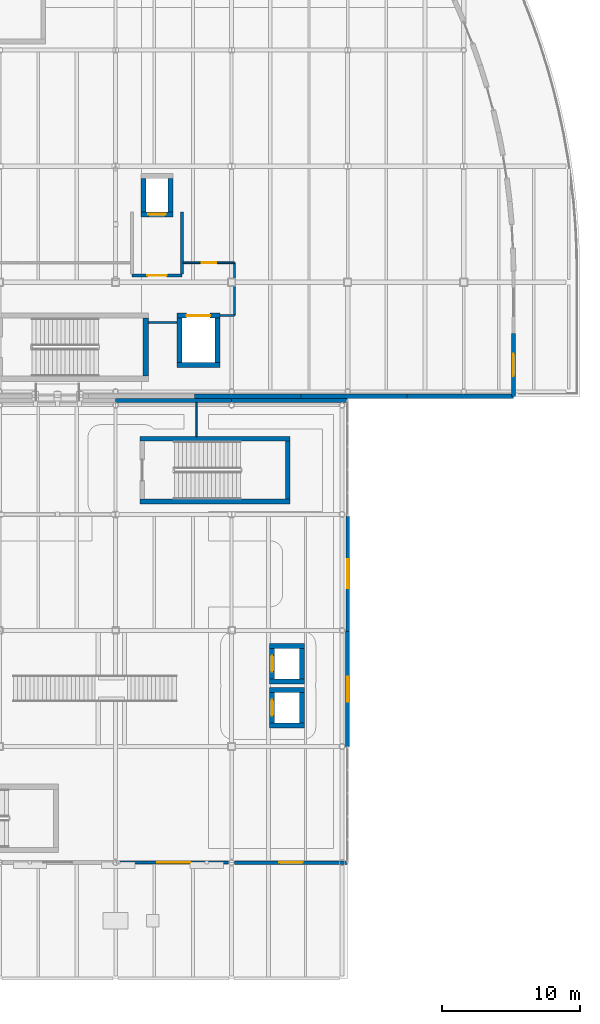
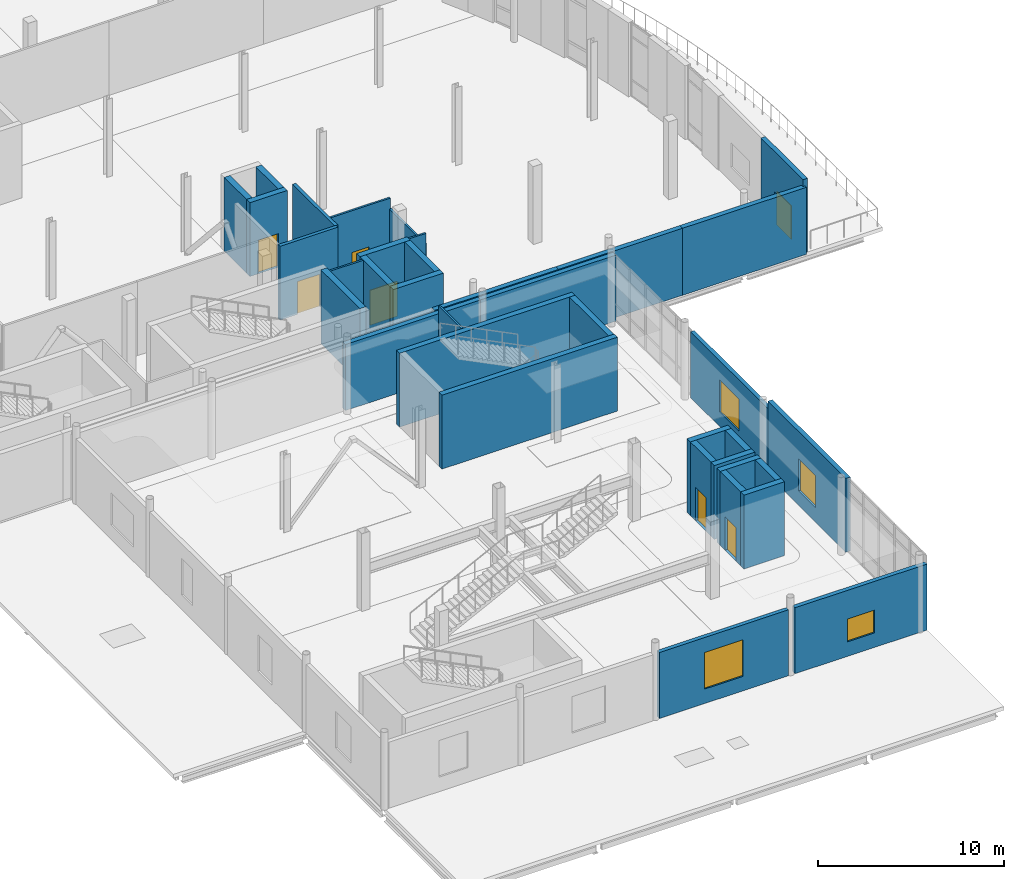
# One storey, part 69 of 103: 36 walls, 7 doors, 4 windows, 11 openings.
"""IFC4 building model written with IfcOpenShell, lengths in metres."""

from ifc_helpers import new_model, si_unit, direction, frame, frame_2d, origin, place, context, subcontext, project, spatial, rectangle, extrude, material, layer, layer_set, type_object, element, fill, save


model = new_model("IFC4")

# Units and contexts
model_context = context("Model", 3, precision=1e-05, world=origin(), true_north=direction((0.0, 1.0)))
body_context = subcontext(model_context, "Body", "Model", "MODEL_VIEW")
ifc_project = project(units=[si_unit("LENGTHUNIT", "METRE"), si_unit("AREAUNIT", "SQUARE_METRE"), si_unit("VOLUMEUNIT", "CUBIC_METRE"), si_unit("PLANEANGLEUNIT", "RADIAN"), si_unit("MASSUNIT", "GRAM", prefix="KILO"), si_unit("THERMODYNAMICTEMPERATUREUNIT", "KELVIN")], contexts=[model_context])

# Site, building, storey
site_placement = place(None, origin())
site = spatial("IfcSite", under=ifc_project, at=site_placement, CompositionType="ELEMENT")
building_placement = place(site_placement, origin())
building = spatial("IfcBuilding", under=site, at=building_placement, Name="Lustrewick Department Store", CompositionType="ELEMENT")
storey_placement = place(building_placement, frame((0.0, 0.0, 16.5)))
storey = spatial("IfcBuildingStorey", under=building, at=storey_placement, Name="L04", CompositionType="ELEMENT", Elevation=16.5)

# Wall, opening, window
ifc_material_1 = material(Name="Precast concrete C40", Category="concrete")
ifc_layer_1 = layer(ifc_material_1, 0.239990234375, Name="Precast concrete C40")
ifc_layer_set_1 = layer_set([ifc_layer_1], Name="Precast concrete C40")
wall_type_1 = type_object("IfcWallType", Name="EW01", PredefinedType="STANDARD", material=ifc_layer_set_1)
wall_1_placement = place(storey_placement, frame((151.199951171875, 33.52490234375, 0.0), z_axis=(0.0, 0.0, 1.0), x_axis=(0.0, 1.0, 0.0)))
wall_1 = element("IfcWall", 1, at=wall_1_placement, inside=storey, type_object=wall_type_1, Name="L04 V3 Exterior Wall EW01", PredefinedType="STANDARD", context=body_context, shape_type="SweptSolid", body=[
    extrude(rectangle(XDim=8.362548828125, YDim=0.239990234375, at=frame_2d((4.18115234375, 0.0))), origin(), (0.0, 0.0, 1.0), 4.320068359375),
])
opening_1_placement = place(wall_1_placement, frame((3.13134765625, 0.0, 0.949951171875)))
opening_1 = element("IfcOpeningElement", 2, at=opening_1_placement, cuts=wall_1, Name="Opening WN11", PredefinedType="OPENING", context=body_context, shape_type="SweptSolid", body=[
    extrude(rectangle(XDim=2.10009765625, YDim=2.10009765625, at=frame_2d((1.050048828125, 1.050048828125))), frame((0.0, 0.1298828125, 0.0), z_axis=(0.0, -1.0, 0.0), x_axis=(1.0, 0.0, 0.0)), (0.0, 0.0, 1.0), 0.260009765625),
])
ifc_material_2 = material(Name="Thermally broken Low-E triple-glazed window", Category="glass")
window_type_1 = type_object("IfcWindowType", Name="WN11", PartitioningType="DOUBLE_PANEL_VERTICAL", PredefinedType="WINDOW", material=ifc_material_2)
window_1_placement = place(opening_1_placement, origin())
window_1 = element("IfcWindow", 3, at=window_1_placement, inside=storey, type_object=window_type_1, Name="L04 Art Nouveau Window WN11", OverallHeight=2.10009765625, OverallWidth=2.10009765625, PartitioningType="SINGLE_PANEL", PredefinedType="WINDOW", context=body_context, shape_type="SweptSolid", body=[
    extrude(rectangle(XDim=2.10009765625, YDim=2.10009765625, at=frame_2d((1.050048828125, 1.050048828125))), frame((0.0, 0.030029296875, 0.0), z_axis=(0.0, -1.0, 0.0), x_axis=(1.0, 0.0, 0.0)), (0.0, 0.0, 1.0), 0.06005859375),
])
fill(opening_1, window_1)

wall_2_placement = place(storey_placement, frame((134.597900390625, 16.800048828125, 0.0), z_axis=(0.0, 0.0, 1.0), x_axis=(1.0, 0.0, 0.0)))
wall_2 = element("IfcWall", 4, at=wall_2_placement, inside=storey, type_object=wall_type_1, Name="L04 V3 Exterior Wall EW01", PredefinedType="STANDARD", context=body_context, shape_type="SweptSolid", body=[
    extrude(rectangle(XDim=8.004150390625, YDim=0.239990234375, at=frame_2d((4.001953125, 0.0))), origin(), (0.0, 0.0, 1.0), 4.3310546875),
])
opening_2_placement = place(wall_2_placement, frame((2.802001953125, 0.0, 0.949951171875)))
opening_2 = element("IfcOpeningElement", 5, at=opening_2_placement, cuts=wall_2, Name="Opening WN18", PredefinedType="OPENING", context=body_context, shape_type="SweptSolid", body=[
    extrude(rectangle(XDim=2.39990234375, YDim=2.39990234375, at=frame_2d((1.199951171875, 1.199951171875))), frame((0.0, 0.1298828125, 0.0), z_axis=(0.0, -1.0, 0.0), x_axis=(1.0, 0.0, 0.0)), (0.0, 0.0, 1.0), 0.260009765625),
])
window_type_2 = type_object("IfcWindowType", Name="WN18", PartitioningType="DOUBLE_PANEL_VERTICAL", PredefinedType="WINDOW", material=ifc_material_2)
window_2_placement = place(opening_2_placement, origin())
window_2 = element("IfcWindow", 6, at=window_2_placement, inside=storey, type_object=window_type_2, Name="L04 Art Nouveau Window WN18", OverallHeight=2.39990234375, OverallWidth=2.39990234375, PartitioningType="SINGLE_PANEL", PredefinedType="WINDOW", context=body_context, shape_type="SweptSolid", body=[
    extrude(rectangle(XDim=2.39990234375, YDim=2.39990234375, at=frame_2d((1.199951171875, 1.199951171875))), frame((0.0, 0.030029296875, 0.0), z_axis=(0.0, -1.0, 0.0), x_axis=(1.0, 0.0, 0.0)), (0.0, 0.0, 1.0), 0.06005859375),
])
fill(opening_2, window_2)

ifc_layer_2 = layer(ifc_material_1, 0.260009765625, Name="Precast concrete C40")
ifc_layer_set_2 = layer_set([ifc_layer_2], Name="Precast concrete C40")
wall_type_2 = type_object("IfcWallType", Name="EW02", PredefinedType="STANDARD", material=ifc_layer_set_2)
wall_3_placement = place(storey_placement, frame((142.998046875, 16.800048828125, 0.0), z_axis=(0.0, 0.0, 1.0), x_axis=(1.0, 0.0, 0.0)))
wall_3 = element("IfcWall", 7, at=wall_3_placement, inside=storey, type_object=wall_type_2, Name="L04 V3 Exterior Wall EW02", PredefinedType="STANDARD", context=body_context, shape_type="SweptSolid", body=[
    extrude(rectangle(XDim=8.201904296875, YDim=0.260009765625, at=frame_2d((4.10107421875, 0.0))), origin(), (0.0, 0.0, 1.0), 4.3310546875),
])
opening_3_placement = place(wall_3_placement, frame((3.260986328125, 0.0, 0.949951171875)))
opening_3 = element("IfcOpeningElement", 8, at=opening_3_placement, cuts=wall_3, Name="Opening WN19", PredefinedType="OPENING", context=body_context, shape_type="SweptSolid", body=[
    extrude(rectangle(XDim=1.679931640625, YDim=1.5, at=frame_2d((0.83984375, 0.75))), frame((0.0, 0.14013671875, 0.0), z_axis=(0.0, -1.0, 0.0), x_axis=(1.0, 0.0, 0.0)), (0.0, 0.0, 1.0), 0.280029296875),
])
window_type_3 = type_object("IfcWindowType", Name="WN19", PartitioningType="DOUBLE_PANEL_VERTICAL", PredefinedType="WINDOW", material=ifc_material_2)
window_3_placement = place(opening_3_placement, origin())
window_3 = element("IfcWindow", 9, at=window_3_placement, inside=storey, type_object=window_type_3, Name="L04 Art Nouveau Window WN19", OverallHeight=1.5, OverallWidth=1.679931640625, PartitioningType="SINGLE_PANEL", PredefinedType="WINDOW", context=body_context, shape_type="SweptSolid", body=[
    extrude(rectangle(XDim=1.679931640625, YDim=1.5, at=frame_2d((0.83984375, 0.75))), frame((0.0, 0.030029296875, 0.0), z_axis=(0.0, -1.0, 0.0), x_axis=(1.0, 0.0, 0.0)), (0.0, 0.0, 1.0), 0.06005859375),
])
fill(opening_3, window_3)

ifc_layer_3 = layer(ifc_material_1, 0.280029296875, Name="Precast concrete C40")
ifc_layer_set_3 = layer_set([ifc_layer_3], Name="Precast concrete C40")
wall_type_3 = type_object("IfcWallType", Name="EW03", PredefinedType="STANDARD", material=ifc_layer_set_3)
wall_4_placement = place(storey_placement, frame((151.199951171875, 25.16259765625, 0.0), z_axis=(0.0, 0.0, 1.0), x_axis=(0.0, 1.0, 0.0)))
wall_4 = element("IfcWall", 10, at=wall_4_placement, inside=storey, type_object=wall_type_3, Name="L04 V3 Exterior Wall EW03", PredefinedType="STANDARD", context=body_context, shape_type="SweptSolid", body=[
    extrude(rectangle(XDim=8.3623046875, YDim=0.280029296875, at=frame_2d((4.18115234375, 0.0))), origin(), (0.0, 0.0, 1.0), 4.844970703125),
])
opening_4_placement = place(wall_4_placement, frame((3.28125, 0.0, 0.949951171875)))
opening_4 = element("IfcOpeningElement", 11, at=opening_4_placement, cuts=wall_4, Name="Opening WN10", PredefinedType="OPENING", context=body_context, shape_type="SweptSolid", body=[
    extrude(rectangle(XDim=1.800048828125, YDim=2.10009765625, at=frame_2d((0.89990234375, 1.050048828125))), frame((0.0, 0.14990234375, 0.0), z_axis=(0.0, -1.0, 0.0), x_axis=(1.0, 0.0, 0.0)), (0.0, 0.0, 1.0), 0.300048828125),
])
window_type_4 = type_object("IfcWindowType", Name="WN10", PartitioningType="DOUBLE_PANEL_VERTICAL", PredefinedType="WINDOW", material=ifc_material_2)
window_4_placement = place(opening_4_placement, origin())
window_4 = element("IfcWindow", 12, at=window_4_placement, inside=storey, type_object=window_type_4, Name="L04 Art Nouveau Window WN10", OverallHeight=2.10009765625, OverallWidth=1.800048828125, PartitioningType="SINGLE_PANEL", PredefinedType="WINDOW", context=body_context, shape_type="SweptSolid", body=[
    extrude(rectangle(XDim=1.800048828125, YDim=2.10009765625, at=frame_2d((0.89990234375, 1.050048828125))), frame((0.0, 0.030029296875, 0.0), z_axis=(0.0, -1.0, 0.0), x_axis=(1.0, 0.0, 0.0)), (0.0, 0.0, 1.0), 0.06005859375),
])
fill(opening_4, window_4)

# Wall, opening, door
wall_5_placement = place(storey_placement, frame((163.199951171875, 50.550048828125, 0.0), z_axis=(0.0, 0.0, 1.0), x_axis=(0.0, 1.0, 0.0)))
wall_5 = element("IfcWall", 13, at=wall_5_placement, inside=storey, type_object=wall_type_3, Name="L04 V4 Exterior Wall EW03", PredefinedType="STANDARD", context=body_context, shape_type="SweptSolid", body=[
    extrude(rectangle(XDim=4.52490234375, YDim=0.280029296875, at=frame_2d((2.262451171875, 0.0))), origin(), (0.0, 0.0, 1.0), 4.844970703125),
])
opening_5_placement = place(wall_5_placement, frame((1.46240234375, 0.0, 0.0)))
opening_5 = element("IfcOpeningElement", 14, at=opening_5_placement, cuts=wall_5, Name="Opening D-TR05", PredefinedType="OPENING", context=body_context, shape_type="SweptSolid", body=[
    extrude(rectangle(XDim=1.60009765625, YDim=2.199951171875, at=frame_2d((0.800048828125, 1.10009765625))), frame((0.0, 0.14990234375, 0.0), z_axis=(0.0, -1.0, 0.0), x_axis=(1.0, 0.0, 0.0)), (0.0, 0.0, 1.0), 0.300048828125),
])
ifc_material_3 = material(Name="Steel fire-rated terrace exit door EI 60", Category="steel")
door_type_1 = type_object("IfcDoorType", Name="DT-03", OperationType="NOTDEFINED", PredefinedType="DOOR", material=ifc_material_3)
door_1_placement = place(opening_5_placement, frame((1.60009765625, 0.0, 0.0), z_axis=(0.0, 0.0, 1.0), x_axis=(-1.0, 0.0, 0.0)))
door_1 = element("IfcDoor", 15, at=door_1_placement, inside=storey, type_object=door_type_1, Name="L04 Terrace and Refuge Access Door D-TR05", OperationType="DOUBLE_DOOR_SINGLE_SWING", OverallHeight=2.199951171875, OverallWidth=1.60009765625, PredefinedType="DOOR", context=body_context, shape_type="SweptSolid", body=[
    extrude(rectangle(XDim=1.60009765625, YDim=2.199951171875, at=frame_2d((0.800048828125, 1.10009765625))), frame((0.0, 0.02490234375, 0.0), z_axis=(0.0, -1.0, 0.0), x_axis=(1.0, 0.0, 0.0)), (0.0, 0.0, 1.0), 0.050048828125),
])
fill(opening_5, door_1)

# Walls
ifc_layer_4 = layer(ifc_material_1, 0.300048828125, Name="Precast concrete C40")
ifc_layer_set_4 = layer_set([ifc_layer_4], Name="Precast concrete C40")
wall_type_4 = type_object("IfcWallType", Name="EW04", PredefinedType="STANDARD", material=ifc_layer_set_4)
wall_6_placement = place(storey_placement, frame((151.199951171875, 50.25, 0.0), z_axis=(0.0, 0.0, 1.0), x_axis=(-1.0, 0.0, 0.0)))
element("IfcWall", 16, at=wall_6_placement, inside=storey, type_object=wall_type_4, Name="L04 V3 Exterior Wall EW04", PredefinedType="STANDARD", context=body_context, shape_type="SweptSolid", body=[
    extrude(rectangle(XDim=8.39990234375, YDim=0.300048828125, at=frame_2d((4.199951171875, 0.0))), origin(), (0.0, 0.0, 1.0), 4.3310546875),
])
wall_7_placement = place(storey_placement, frame((142.800048828125, 50.25, 0.0), z_axis=(0.0, 0.0, 1.0), x_axis=(-1.0, 0.0, 0.0)))
element("IfcWall", 17, at=wall_7_placement, inside=storey, type_object=wall_type_4, Name="L04 V3 Exterior Wall EW04", PredefinedType="STANDARD", context=body_context, shape_type="SweptSolid", body=[
    extrude(rectangle(XDim=8.400146484375, YDim=0.300048828125, at=frame_2d((4.2001953125, 0.0))), origin(), (0.0, 0.0, 1.0), 4.3310546875),
])
for number, where, z_axis, x_axis, name in (
    (18, (140.121337890625, 50.550048828125, 0.0), (0.0, 0.0, 1.0), (1.0, 0.0, 0.0), "L04 V4 Exterior Wall EW04"),
    (19, (147.814208984375, 50.550048828125, 0.0), (0.0, 0.0, 1.0), (1.0, 0.0, 0.0), "L04 V4 Exterior Wall EW04"),
    (20, (155.507080078125, 50.550048828125, 0.0), (0.0, 0.0, 1.0), (1.0, 0.0, 0.0), "L04 V4 Exterior Wall EW04"),
):
    element("IfcWall", number, at=place(storey_placement, frame(where, z_axis=z_axis, x_axis=x_axis)), inside=storey, type_object=wall_type_4, Name=name, PredefinedType="STANDARD", context=body_context, shape_type="SweptSolid", body=[
        extrude(rectangle(XDim=7.69287109375, YDim=0.300048828125, at=frame_2d((3.846435546875, 0.0))), origin(), (0.0, 0.0, 1.0), 4.39697265625),
    ])

# Wall, opening, door
ifc_material_4 = material(Name="Autoclaved aerated concrete blockwork and fire board", Category="masonry")
ifc_layer_5 = layer(ifc_material_4, 0.205078125, Name="Autoclaved aerated concrete blockwork and fire board")
ifc_layer_set_5 = layer_set([ifc_layer_5], Name="Autoclaved aerated concrete blockwork and fire board")
wall_type_5 = type_object("IfcWallType", Name="PW02", PredefinedType="PARTITIONING", material=ifc_layer_set_5)
wall_8_placement = place(storey_placement, frame((135.60009765625, 59.300048828125, 0.0), z_axis=(0.0, 0.0, 1.0), x_axis=(1.0, 0.0, 0.0)))
wall_8 = element("IfcWall", 21, at=wall_8_placement, inside=storey, type_object=wall_type_5, Name="L04 Firefighting Lift Lobby FFL-03 PW02", PredefinedType="PARTITIONING", context=body_context, shape_type="SweptSolid", body=[
    extrude(rectangle(XDim=3.599853515625, YDim=0.205078125, at=frame_2d((1.7998046875, 0.0))), origin(), (0.0, 0.0, 1.0), 4.844970703125),
])
opening_6_placement = place(wall_8_placement, frame((1.10009765625, 0.0, 0.0)))
opening_6 = element("IfcOpeningElement", 22, at=opening_6_placement, cuts=wall_8, Name="Opening D-L04-049", PredefinedType="OPENING", context=body_context, shape_type="SweptSolid", body=[
    extrude(rectangle(XDim=1.39990234375, YDim=2.14990234375, at=frame_2d((0.699951171875, 1.074951171875))), frame((0.0, 0.112548828125, 0.0), z_axis=(0.0, -1.0, 0.0), x_axis=(1.0, 0.0, 0.0)), (0.0, 0.0, 1.0), 0.22509765625),
])
ifc_material_5 = material(Name="Steel fire door Class B EI 60", Category="steel")
door_type_2 = type_object("IfcDoorType", Name="DT-08", OperationType="NOTDEFINED", PredefinedType="DOOR", material=ifc_material_5)
door_2_placement = place(opening_6_placement, origin())
door_2 = element("IfcDoor", 23, at=door_2_placement, inside=storey, type_object=door_type_2, Name="L04 Firefighting Lift Lobby FFL-03 Door D-L04-049", OperationType="SINGLE_SWING_LEFT", OverallHeight=2.14990234375, OverallWidth=1.39990234375, PredefinedType="DOOR", context=body_context, shape_type="SweptSolid", body=[
    extrude(rectangle(XDim=1.39990234375, YDim=2.14990234375, at=frame_2d((0.699951171875, 1.074951171875))), frame((0.0, 0.02490234375, 0.0), z_axis=(0.0, -1.0, 0.0), x_axis=(1.0, 0.0, 0.0)), (0.0, 0.0, 1.0), 0.050048828125),
])
fill(opening_6, door_2)

# Walls
wall_9_placement = place(storey_placement, frame((139.199951171875, 59.3974609375, 0.0), z_axis=(0.0, 0.0, 1.0), x_axis=(0.0, 1.0, 0.0)))
element("IfcWall", 24, at=wall_9_placement, inside=storey, type_object=wall_type_5, Name="L04 Firefighting Lift Lobby FFL-03 PW02", PredefinedType="PARTITIONING", context=body_context, shape_type="SweptSolid", body=[
    extrude(rectangle(XDim=4.50244140625, YDim=0.205078125, at=frame_2d((2.251220703125, 0.0))), origin(), (0.0, 0.0, 1.0), 4.844970703125),
])
ifc_material_6 = material(Name="Acoustic gypsum stud office partition", Category="gypsum")
ifc_layer_6 = layer(ifc_material_6, 0.1201171875, Name="Acoustic gypsum stud office partition")
ifc_layer_set_6 = layer_set([ifc_layer_6], Name="Acoustic gypsum stud office partition")
wall_type_6 = type_object("IfcWallType", Name="PW07", PredefinedType="PARTITIONING", material=ifc_layer_set_6)
wall_10_placement = place(storey_placement, frame((143.010009765625, 60.199951171875, 0.0), z_axis=(0.0, 0.0, 1.0), x_axis=(0.0, -1.0, 0.0)))
element("IfcWall", 25, at=wall_10_placement, inside=storey, type_object=wall_type_6, Name="L04 Store Buying Office PW07", PredefinedType="PARTITIONING", context=body_context, shape_type="SweptSolid", body=[
    extrude(rectangle(XDim=3.800048828125, YDim=0.1201171875, at=frame_2d((1.89990234375, 0.0))), origin(), (0.0, 0.0, 1.0), 4.136962890625),
])
wall_11_placement = place(storey_placement, frame((143.0, 56.389892578125, 0.0), z_axis=(0.0, 0.0, 1.0), x_axis=(-1.0, 0.0, 0.0)))
element("IfcWall", 26, at=wall_11_placement, inside=storey, type_object=wall_type_6, Name="L04 Store Buying Office PW07", PredefinedType="PARTITIONING", context=body_context, shape_type="SweptSolid", body=[
    extrude(rectangle(XDim=1.0400390625, YDim=0.1201171875, at=frame_2d((0.52001953125, 0.0))), origin(), (0.0, 0.0, 1.0), 4.844970703125),
])

# Wall, opening, door
wall_12_placement = place(storey_placement, frame((139.297607421875, 60.2099609375, 0.0), z_axis=(0.0, 0.0, 1.0), x_axis=(1.0, 0.0, 0.0)))
wall_12 = element("IfcWall", 27, at=wall_12_placement, inside=storey, type_object=wall_type_6, Name="L04 Store Buying Office PW07", PredefinedType="PARTITIONING", context=body_context, shape_type="SweptSolid", body=[
    extrude(rectangle(XDim=3.702392578125, YDim=0.1201171875, at=frame_2d((1.85107421875, 0.0))), origin(), (0.0, 0.0, 1.0), 4.844970703125),
])
opening_7_placement = place(wall_12_placement, frame((1.326416015625, 0.0, 0.0)))
opening_7 = element("IfcOpeningElement", 28, at=opening_7_placement, cuts=wall_12, Name="Opening D-L04-051", PredefinedType="OPENING", context=body_context, shape_type="SweptSolid", body=[
    extrude(rectangle(XDim=1.050048828125, YDim=2.10009765625, at=frame_2d((0.52490234375, 1.050048828125))), frame((0.0, 0.070068359375, 0.0), z_axis=(0.0, -1.0, 0.0), x_axis=(1.0, 0.0, 0.0)), (0.0, 0.0, 1.0), 0.14013671875),
])
ifc_material_7 = material(Name="Acoustic oak veneer office door", Category="wood")
door_type_3 = type_object("IfcDoorType", Name="DT-10", OperationType="NOTDEFINED", PredefinedType="DOOR", material=ifc_material_7)
door_3_placement = place(opening_7_placement, origin())
door_3 = element("IfcDoor", 29, at=door_3_placement, inside=storey, type_object=door_type_3, Name="L04 Store Buying Office Door D-L04-051", OperationType="SINGLE_SWING_LEFT", OverallHeight=2.10009765625, OverallWidth=1.050048828125, PredefinedType="DOOR", context=body_context, shape_type="SweptSolid", body=[
    extrude(rectangle(XDim=1.050048828125, YDim=2.10009765625, at=frame_2d((0.52490234375, 1.050048828125))), frame((0.0, 0.02490234375, 0.0), z_axis=(0.0, -1.0, 0.0), x_axis=(1.0, 0.0, 0.0)), (0.0, 0.0, 1.0), 0.050048828125),
])
fill(opening_7, door_3)

# Walls
wall_13_placement = place(storey_placement, frame((138.844970703125, 55.889892578125, 0.0), z_axis=(0.0, 0.0, 1.0), x_axis=(-1.0, 0.0, 0.0)))
element("IfcWall", 30, at=wall_13_placement, inside=storey, type_object=wall_type_6, Name="L04 Store Buying Office PW07", PredefinedType="PARTITIONING", context=body_context, shape_type="SweptSolid", body=[
    extrude(rectangle(XDim=2.070068359375, YDim=0.1201171875, at=frame_2d((1.03515625, 0.0))), origin(), (0.0, 0.0, 1.0), 4.844970703125),
])
ifc_material_8 = material(Name="Lightweight demountable studio partition", Category="gypsum")
ifc_layer_7 = layer(ifc_material_8, 0.10498046875, Name="Lightweight demountable studio partition")
ifc_layer_set_7 = layer_set([ifc_layer_7], Name="Lightweight demountable studio partition")
wall_type_7 = type_object("IfcWallType", Name="PW08", PredefinedType="PARTITIONING", material=ifc_layer_set_7)
wall_14_placement = place(storey_placement, frame((140.247802734375, 47.635009765625, 0.0), z_axis=(0.0, 0.0, 1.0), x_axis=(0.0, 1.0, 0.0)))
element("IfcWall", 31, at=wall_14_placement, inside=storey, type_object=wall_type_7, Name="L04 V3 Merchandise Display Alcove 1 PW08", PredefinedType="PARTITIONING", context=body_context, shape_type="SweptSolid", body=[
    extrude(rectangle(XDim=2.469970703125, YDim=0.10498046875, at=frame_2d((1.23486328125, 0.0))), origin(), (0.0, 0.0, 1.0), 4.844970703125),
])
ifc_material_9 = material(Name="Concrete C40", Category="concrete")
ifc_layer_8 = layer(ifc_material_9, 0.3798828125, Name="Concrete C40")
ifc_layer_set_8 = layer_set([ifc_layer_8], Name="Concrete C40")
wall_type_8 = type_object("IfcWallType", Name="SW03", PredefinedType="SHEAR", material=ifc_layer_set_8)
wall_15_placement = place(storey_placement, frame((136.590087890625, 52.0, 0.0), z_axis=(0.0, 0.0, 1.0), x_axis=(0.0, 1.0, 0.0)))
element("IfcWall", 32, at=wall_15_placement, inside=storey, type_object=wall_type_8, Name="L04 Stair Core ST11 Shear Wall E", PredefinedType="SHEAR", context=body_context, shape_type="SweptSolid", body=[
    extrude(rectangle(XDim=4.199951171875, YDim=0.3798828125, at=frame_2d((2.10009765625, 0.0))), origin(), (0.0, 0.0, 1.0), 4.844970703125),
])

# Wall, opening, door
ifc_layer_9 = layer(ifc_material_9, 0.360107421875, Name="Concrete C40")
ifc_layer_set_9 = layer_set([ifc_layer_9], Name="Concrete C40")
wall_type_9 = type_object("IfcWallType", Name="SW04", PredefinedType="SHEAR", material=ifc_layer_set_9)
wall_16_placement = place(storey_placement, frame((136.239990234375, 63.719970703125, 0.0), z_axis=(0.0, 0.0, 1.0), x_axis=(1.0, 0.0, 0.0)))
wall_16 = element("IfcWall", 33, at=wall_16_placement, inside=storey, type_object=wall_type_9, Name="L04 Lift FFL-03 Shaft Wall -Y", PredefinedType="SHEAR", context=body_context, shape_type="SweptSolid", body=[
    extrude(rectangle(XDim=2.320068359375, YDim=0.360107421875, at=frame_2d((1.16015625, 0.0))), origin(), (0.0, 0.0, 1.0), 4.844970703125),
])
opening_8_placement = place(wall_16_placement, frame((0.534912109375, 0.0, 0.0)))
opening_8 = element("IfcOpeningElement", 34, at=opening_8_placement, cuts=wall_16, Name="Opening LD-L04-03", PredefinedType="OPENING", context=body_context, shape_type="SweptSolid", body=[
    extrude(rectangle(XDim=1.25, YDim=2.199951171875, at=frame_2d((0.625, 1.10009765625))), frame((0.0, 0.18994140625, 0.0), z_axis=(0.0, -1.0, 0.0), x_axis=(1.0, 0.0, 0.0)), (0.0, 0.0, 1.0), 0.380126953125),
])
ifc_material_10 = material(Name="Stainless steel firefighting lift landing door EI 90", Category="steel")
door_type_4 = type_object("IfcDoorType", Name="DT-15", OperationType="NOTDEFINED", PredefinedType="DOOR", material=ifc_material_10)
door_4_placement = place(opening_8_placement, frame((1.25, 0.0, 0.0), z_axis=(0.0, 0.0, 1.0), x_axis=(-1.0, 0.0, 0.0)))
door_4 = element("IfcDoor", 35, at=door_4_placement, inside=storey, type_object=door_type_4, Name="L04 Lift FFL-03 Sliding Landing Door LD-L04-03", OperationType="DOUBLE_DOOR_SLIDING", OverallHeight=2.199951171875, OverallWidth=1.25, PredefinedType="DOOR", context=body_context, shape_type="SweptSolid", body=[
    extrude(rectangle(XDim=1.25, YDim=2.199951171875, at=frame_2d((0.625, 1.10009765625))), frame((0.0, 0.02490234375, 0.0), z_axis=(0.0, -1.0, 0.0), x_axis=(1.0, 0.0, 0.0)), (0.0, 0.0, 1.0), 0.050048828125),
])
fill(opening_8, door_4)

# Walls
for number, where, z_axis, x_axis, name in (
    (36, (138.3798828125, 63.89990234375, 0.0), (0.0, 0.0, 1.0), (0.0, 1.0, 0.0), "L04 Lift FFL-03 Shaft Wall +X"),
    (37, (136.419921875, 66.300048828125, 0.0), (0.0, 0.0, 1.0), (0.0, -1.0, 0.0), "L04 Lift FFL-03 Shaft Wall -X"),
):
    element("IfcWall", number, at=place(storey_placement, frame(where, z_axis=z_axis, x_axis=x_axis)), inside=storey, type_object=wall_type_9, Name=name, PredefinedType="SHEAR", context=body_context, shape_type="SweptSolid", body=[
        extrude(rectangle(XDim=2.400146484375, YDim=0.360107421875, at=frame_2d((1.2001953125, 0.0))), origin(), (0.0, 0.0, 1.0), 4.844970703125),
    ])
wall_17_placement = place(storey_placement, frame((145.5400390625, 26.719970703125, 0.0), z_axis=(0.0, 0.0, 1.0), x_axis=(1.0, 0.0, 0.0)))
element("IfcWall", 38, at=wall_17_placement, inside=storey, type_object=wall_type_9, Name="L04 Lift PL-05 Shaft Wall -Y", PredefinedType="SHEAR", context=body_context, shape_type="SweptSolid", body=[
    extrude(rectangle(XDim=2.52001953125, YDim=0.360107421875, at=frame_2d((1.260009765625, 0.0))), origin(), (0.0, 0.0, 1.0), 4.844970703125),
])
wall_18_placement = place(storey_placement, frame((147.8798828125, 26.89990234375, 0.0), z_axis=(0.0, 0.0, 1.0), x_axis=(0.0, 1.0, 0.0)))
element("IfcWall", 39, at=wall_18_placement, inside=storey, type_object=wall_type_9, Name="L04 Lift PL-05 Shaft Wall +X", PredefinedType="SHEAR", context=body_context, shape_type="SweptSolid", body=[
    extrude(rectangle(XDim=2.2001953125, YDim=0.360107421875, at=frame_2d((1.10009765625, 0.0))), origin(), (0.0, 0.0, 1.0), 4.844970703125),
])
wall_19_placement = place(storey_placement, frame((148.06005859375, 29.280029296875, 0.0), z_axis=(0.0, 0.0, 1.0), x_axis=(-1.0, 0.0, 0.0)))
element("IfcWall", 40, at=wall_19_placement, inside=storey, type_object=wall_type_9, Name="L04 Lift PL-05 Shaft Wall +Y", PredefinedType="SHEAR", context=body_context, shape_type="SweptSolid", body=[
    extrude(rectangle(XDim=2.52001953125, YDim=0.360107421875, at=frame_2d((1.260009765625, 0.0))), origin(), (0.0, 0.0, 1.0), 4.844970703125),
])

# Wall, opening, door
wall_20_placement = place(storey_placement, frame((145.719970703125, 29.10009765625, 0.0), z_axis=(0.0, 0.0, 1.0), x_axis=(0.0, -1.0, 0.0)))
wall_20 = element("IfcWall", 41, at=wall_20_placement, inside=storey, type_object=wall_type_9, Name="L04 Lift PL-05 Shaft Wall -X", PredefinedType="SHEAR", context=body_context, shape_type="SweptSolid", body=[
    extrude(rectangle(XDim=2.2001953125, YDim=0.360107421875, at=frame_2d((1.10009765625, 0.0))), origin(), (0.0, 0.0, 1.0), 4.844970703125),
])
opening_9_placement = place(wall_20_placement, frame((0.52490234375, 0.0, 0.0)))
opening_9 = element("IfcOpeningElement", 42, at=opening_9_placement, cuts=wall_20, Name="Opening LD-L04-09", PredefinedType="OPENING", context=body_context, shape_type="SweptSolid", body=[
    extrude(rectangle(XDim=1.14990234375, YDim=2.199951171875, at=frame_2d((0.574951171875, 1.10009765625))), frame((0.0, 0.18994140625, 0.0), z_axis=(0.0, -1.0, 0.0), x_axis=(1.0, 0.0, 0.0)), (0.0, 0.0, 1.0), 0.380126953125),
])
ifc_material_11 = material(Name="Brushed bronze passenger lift landing door EI 60", Category="steel")
door_type_5 = type_object("IfcDoorType", Name="DT-16", OperationType="NOTDEFINED", PredefinedType="DOOR", material=ifc_material_11)
door_5_placement = place(opening_9_placement, frame((1.14990234375, 0.0, 0.0), z_axis=(0.0, 0.0, 1.0), x_axis=(-1.0, 0.0, 0.0)))
door_5 = element("IfcDoor", 43, at=door_5_placement, inside=storey, type_object=door_type_5, Name="L04 Lift PL-05 Sliding Landing Door LD-L04-09", OperationType="DOUBLE_DOOR_SLIDING", OverallHeight=2.199951171875, OverallWidth=1.14990234375, PredefinedType="DOOR", context=body_context, shape_type="SweptSolid", body=[
    extrude(rectangle(XDim=1.14990234375, YDim=2.199951171875, at=frame_2d((0.574951171875, 1.10009765625))), frame((0.0, 0.02490234375, 0.0), z_axis=(0.0, -1.0, 0.0), x_axis=(1.0, 0.0, 0.0)), (0.0, 0.0, 1.0), 0.050048828125),
])
fill(opening_9, door_5)

# Walls
wall_21_placement = place(storey_placement, frame((145.5400390625, 29.919921875, 0.0), z_axis=(0.0, 0.0, 1.0), x_axis=(1.0, 0.0, 0.0)))
element("IfcWall", 44, at=wall_21_placement, inside=storey, type_object=wall_type_9, Name="L04 Lift PL-06 Shaft Wall -Y", PredefinedType="SHEAR", context=body_context, shape_type="SweptSolid", body=[
    extrude(rectangle(XDim=2.52001953125, YDim=0.360107421875, at=frame_2d((1.260009765625, 0.0))), origin(), (0.0, 0.0, 1.0), 4.844970703125),
])
wall_22_placement = place(storey_placement, frame((147.8798828125, 30.10009765625, 0.0), z_axis=(0.0, 0.0, 1.0), x_axis=(0.0, 1.0, 0.0)))
element("IfcWall", 45, at=wall_22_placement, inside=storey, type_object=wall_type_9, Name="L04 Lift PL-06 Shaft Wall +X", PredefinedType="SHEAR", context=body_context, shape_type="SweptSolid", body=[
    extrude(rectangle(XDim=2.199951171875, YDim=0.360107421875, at=frame_2d((1.10009765625, 0.0))), origin(), (0.0, 0.0, 1.0), 4.844970703125),
])
wall_23_placement = place(storey_placement, frame((148.06005859375, 32.47998046875, 0.0), z_axis=(0.0, 0.0, 1.0), x_axis=(-1.0, 0.0, 0.0)))
element("IfcWall", 46, at=wall_23_placement, inside=storey, type_object=wall_type_9, Name="L04 Lift PL-06 Shaft Wall +Y", PredefinedType="SHEAR", context=body_context, shape_type="SweptSolid", body=[
    extrude(rectangle(XDim=2.52001953125, YDim=0.360107421875, at=frame_2d((1.260009765625, 0.0))), origin(), (0.0, 0.0, 1.0), 4.844970703125),
])

# Wall, opening, door
wall_24_placement = place(storey_placement, frame((145.719970703125, 32.300048828125, 0.0), z_axis=(0.0, 0.0, 1.0), x_axis=(0.0, -1.0, 0.0)))
wall_24 = element("IfcWall", 47, at=wall_24_placement, inside=storey, type_object=wall_type_9, Name="L04 Lift PL-06 Shaft Wall -X", PredefinedType="SHEAR", context=body_context, shape_type="SweptSolid", body=[
    extrude(rectangle(XDim=2.199951171875, YDim=0.360107421875, at=frame_2d((1.10009765625, 0.0))), origin(), (0.0, 0.0, 1.0), 4.844970703125),
])
opening_10_placement = place(wall_24_placement, frame((0.52490234375, 0.0, 0.0)))
opening_10 = element("IfcOpeningElement", 48, at=opening_10_placement, cuts=wall_24, Name="Opening LD-L04-10", PredefinedType="OPENING", context=body_context, shape_type="SweptSolid", body=[
    extrude(rectangle(XDim=1.14990234375, YDim=2.199951171875, at=frame_2d((0.574951171875, 1.10009765625))), frame((0.0, 0.18994140625, 0.0), z_axis=(0.0, -1.0, 0.0), x_axis=(1.0, 0.0, 0.0)), (0.0, 0.0, 1.0), 0.380126953125),
])
door_6_placement = place(opening_10_placement, frame((1.14990234375, 0.0, 0.0), z_axis=(0.0, 0.0, 1.0), x_axis=(-1.0, 0.0, 0.0)))
door_6 = element("IfcDoor", 49, at=door_6_placement, inside=storey, type_object=door_type_5, Name="L04 Lift PL-06 Sliding Landing Door LD-L04-10", OperationType="DOUBLE_DOOR_SLIDING", OverallHeight=2.199951171875, OverallWidth=1.14990234375, PredefinedType="DOOR", context=body_context, shape_type="SweptSolid", body=[
    extrude(rectangle(XDim=1.14990234375, YDim=2.199951171875, at=frame_2d((0.574951171875, 1.10009765625))), frame((0.0, 0.02490234375, 0.0), z_axis=(0.0, -1.0, 0.0), x_axis=(1.0, 0.0, 0.0)), (0.0, 0.0, 1.0), 0.050048828125),
])
fill(opening_10, door_6)

# Walls
wall_25_placement = place(storey_placement, frame((138.840087890625, 52.820068359375, 0.0), z_axis=(0.0, 0.0, 1.0), x_axis=(1.0, 0.0, 0.0)))
element("IfcWall", 50, at=wall_25_placement, inside=storey, type_object=wall_type_9, Name="L04 Lift GL-04 Shaft Wall -Y", PredefinedType="SHEAR", context=body_context, shape_type="SweptSolid", body=[
    extrude(rectangle(XDim=3.119873046875, YDim=0.360107421875, at=frame_2d((1.56005859375, 0.0))), origin(), (0.0, 0.0, 1.0), 4.844970703125),
])
wall_26_placement = place(storey_placement, frame((141.780029296875, 53.0, 0.0), z_axis=(0.0, 0.0, 1.0), x_axis=(0.0, 1.0, 0.0)))
element("IfcWall", 51, at=wall_26_placement, inside=storey, type_object=wall_type_9, Name="L04 Lift GL-04 Shaft Wall +X", PredefinedType="SHEAR", context=body_context, shape_type="SweptSolid", body=[
    extrude(rectangle(XDim=3.199951171875, YDim=0.360107421875, at=frame_2d((1.60009765625, 0.0))), origin(), (0.0, 0.0, 1.0), 4.844970703125),
])

# Wall, opening, door
wall_27_placement = place(storey_placement, frame((141.9599609375, 56.3798828125, 0.0), z_axis=(0.0, 0.0, 1.0), x_axis=(-1.0, 0.0, 0.0)))
wall_27 = element("IfcWall", 52, at=wall_27_placement, inside=storey, type_object=wall_type_9, Name="L04 Lift GL-04 Shaft Wall +Y", PredefinedType="SHEAR", context=body_context, shape_type="SweptSolid", body=[
    extrude(rectangle(XDim=3.119873046875, YDim=0.360107421875, at=frame_2d((1.56005859375, 0.0))), origin(), (0.0, 0.0, 1.0), 4.844970703125),
])
opening_11_placement = place(wall_27_placement, frame((0.7099609375, 0.0, 0.0)))
opening_11 = element("IfcOpeningElement", 53, at=opening_11_placement, cuts=wall_27, Name="Opening LD-L04-15", PredefinedType="OPENING", context=body_context, shape_type="SweptSolid", body=[
    extrude(rectangle(XDim=1.699951171875, YDim=2.300048828125, at=frame_2d((0.85009765625, 1.14990234375))), frame((0.0, 0.18994140625, 0.0), z_axis=(0.0, -1.0, 0.0), x_axis=(1.0, 0.0, 0.0)), (0.0, 0.0, 1.0), 0.380126953125),
])
ifc_material_12 = material(Name="Heavy-duty stainless goods lift landing door EI 90", Category="steel")
door_type_6 = type_object("IfcDoorType", Name="DT-17", OperationType="NOTDEFINED", PredefinedType="DOOR", material=ifc_material_12)
door_7_placement = place(opening_11_placement, frame((1.699951171875, 0.0, 0.0), z_axis=(0.0, 0.0, 1.0), x_axis=(-1.0, 0.0, 0.0)))
door_7 = element("IfcDoor", 54, at=door_7_placement, inside=storey, type_object=door_type_6, Name="L04 Lift GL-04 Sliding Landing Door LD-L04-15", OperationType="DOUBLE_DOOR_SLIDING", OverallHeight=2.300048828125, OverallWidth=1.699951171875, PredefinedType="DOOR", context=body_context, shape_type="SweptSolid", body=[
    extrude(rectangle(XDim=1.699951171875, YDim=2.300048828125, at=frame_2d((0.85009765625, 1.14990234375))), frame((0.0, 0.02490234375, 0.0), z_axis=(0.0, -1.0, 0.0), x_axis=(1.0, 0.0, 0.0)), (0.0, 0.0, 1.0), 0.050048828125),
])
fill(opening_11, door_7)

# Walls
wall_28_placement = place(storey_placement, frame((139.02001953125, 56.199951171875, 0.0), z_axis=(0.0, 0.0, 1.0), x_axis=(0.0, -1.0, 0.0)))
element("IfcWall", 55, at=wall_28_placement, inside=storey, type_object=wall_type_9, Name="L04 Lift GL-04 Shaft Wall -X", PredefinedType="SHEAR", context=body_context, shape_type="SweptSolid", body=[
    extrude(rectangle(XDim=3.199951171875, YDim=0.360107421875, at=frame_2d((1.60009765625, 0.0))), origin(), (0.0, 0.0, 1.0), 4.844970703125),
])
ifc_layer_10 = layer(ifc_material_9, 0.340087890625, Name="Concrete C40")
ifc_layer_set_10 = layer_set([ifc_layer_10], Name="Concrete C40")
wall_type_10 = type_object("IfcWallType", Name="SW05", PredefinedType="SHEAR", material=ifc_layer_set_10)
wall_29_placement = place(storey_placement, frame((136.159912109375, 42.929931640625, 0.0), z_axis=(0.0, 0.0, 1.0), x_axis=(1.0, 0.0, 0.0)))
element("IfcWall", 56, at=wall_29_placement, inside=storey, type_object=wall_type_10, Name="L04 Stair Core ST08 Shear Wall S", PredefinedType="SHEAR", context=body_context, shape_type="SweptSolid", body=[
    extrude(rectangle(XDim=10.880126953125, YDim=0.340087890625, at=frame_2d((5.43994140625, 0.0))), origin(), (0.0, 0.0, 1.0), 4.844970703125),
])
wall_30_placement = place(storey_placement, frame((146.8701171875, 43.10009765625, 0.0), z_axis=(0.0, 0.0, 1.0), x_axis=(0.0, 1.0, 0.0)))
element("IfcWall", 57, at=wall_30_placement, inside=storey, type_object=wall_type_10, Name="L04 Stair Core ST08 Shear Wall E", PredefinedType="SHEAR", context=body_context, shape_type="SweptSolid", body=[
    extrude(rectangle(XDim=4.199951171875, YDim=0.340087890625, at=frame_2d((2.10009765625, 0.0))), origin(), (0.0, 0.0, 1.0), 4.844970703125),
])
wall_31_placement = place(storey_placement, frame((147.0400390625, 47.469970703125, 0.0), z_axis=(0.0, 0.0, 1.0), x_axis=(-1.0, 0.0, 0.0)))
element("IfcWall", 58, at=wall_31_placement, inside=storey, type_object=wall_type_10, Name="L04 Stair Core ST08 Shear Wall N", PredefinedType="SHEAR", context=body_context, shape_type="SweptSolid", body=[
    extrude(rectangle(XDim=10.880126953125, YDim=0.340087890625, at=frame_2d((5.43994140625, 0.0))), origin(), (0.0, 0.0, 1.0), 4.844970703125),
])

save(model, "model.ifc")
